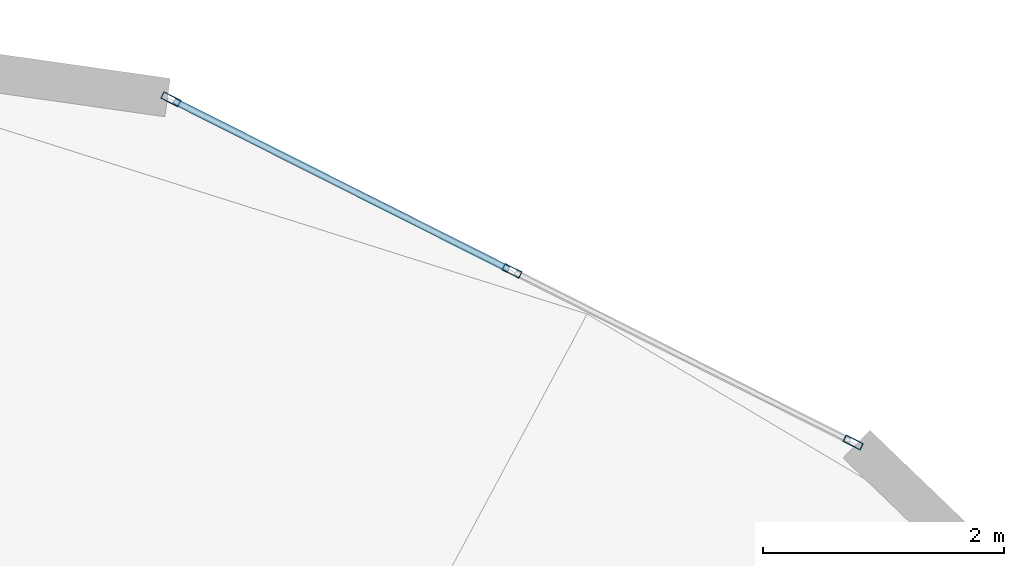
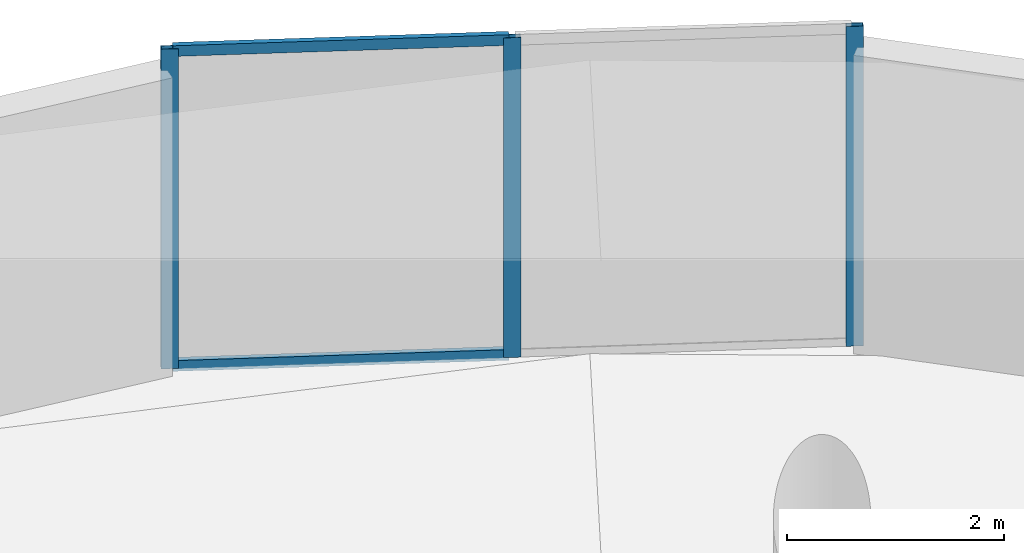
# One storey, part 13 of 19: 5 members, 1 element without a shape of its own.
"""IFC4 building model written with IfcOpenShell, lengths in metres."""

from ifc_helpers import new_model, si_unit, direction, frame, origin, origin_2d, place, context, subcontext, project, spatial, hollow_rectangle, extrude, source, transform, mapped, material, layer, layer_set, material_profile, profile_set, type_object, element, aggregate, save


model = new_model("IFC4")

# Units and contexts
model_context = context("Model", 3, precision=1e-05, world=origin(), true_north=direction((0.0, 1.0)))
body_context = subcontext(model_context, "Body", "Model", "MODEL_VIEW")
ifc_project = project(units=[si_unit("LENGTHUNIT", "METRE"), si_unit("AREAUNIT", "SQUARE_METRE"), si_unit("VOLUMEUNIT", "CUBIC_METRE"), si_unit("PLANEANGLEUNIT", "RADIAN"), si_unit("MASSUNIT", "GRAM", prefix="KILO")], contexts=[model_context])

# Site, building, storey
site_placement = place(None, origin())
site = spatial("IfcSite", under=ifc_project, at=site_placement, CompositionType="ELEMENT")
building_placement = place(site_placement, origin())
building = spatial("IfcBuilding", under=site, at=building_placement, Name="Solvirekh Grand Hotel", CompositionType="ELEMENT")
storey_placement = place(building_placement, frame((0.0, 0.0, 212.800048828125)))
storey = spatial("IfcBuildingStorey", under=building, at=storey_placement, Name="L55", CompositionType="ELEMENT", Elevation=212.800048828125)

# Curtain wall, members
ifc_material = material(Name="Anodized Bronze Aluminium 6063-T6", Category="aluminium")
ifc_layer = layer(ifc_material, 0.159912109375)
ifc_layer_set = layer_set([ifc_layer], Name="Anodized Bronze Aluminium 6063-T6")
curtain_wall_type = type_object("IfcCurtainWallType", Name="CW_Sys4_HighZoneFlushBronzeCW", PredefinedType="NOTDEFINED", material=ifc_layer_set)
curtain_wall_placement = place(storey_placement, origin())
curtain_wall = element("IfcCurtainWall", 1, at=curtain_wall_placement, inside=storey, type_object=curtain_wall_type, Name="L55 unitised bronze-glass curtain wall CW-L55-C08", PredefinedType="NOTDEFINED")
ifc_material_profile_1 = material_profile(ifc_material, hollow_rectangle(XDim=0.054931640625, YDim=0.1201171875, WallThickness=0.00390625, at=origin_2d()), Name="ALU RHS 120X55X4")
ifc_profile_set_1 = profile_set([ifc_material_profile_1], Name="Anodized Bronze Aluminium 6063-T6")
member_type_1 = type_object("IfcMemberType", Name="CWTransom_Sys4", PredefinedType="USERDEFINED", material=ifc_profile_set_1)
shared_shape_1 = source(origin(), body_context, "Body", "SweptSolid", [
    extrude(hollow_rectangle(XDim=0.054931640625, YDim=0.1201171875, WallThickness=0.00390625, at=origin_2d()), origin(), (0.0, 0.0, 1.0), 3.1044921875),
])
member_1_placement = place(storey_placement, frame((7.68310546875, 19.0869140625, 0.02734375), z_axis=(-0.893355123613, 0.449351335944, 0.0), x_axis=(-0.449351335944, -0.893355123613, 0.0)))
member_1 = element("IfcMember", 2, at=member_1_placement, type_object=member_type_1, Name="U04 transom 2.1", ObjectType="TRANSOM", PredefinedType="USERDEFINED", context=body_context, shape_type="MappedRepresentation", body=[
    mapped(shared_shape_1, transform((0.0, 0.0, 0.0), x_axis=(1.0, 0.0, 0.0), y_axis=(0.0, 1.0, 0.0), z_axis=(0.0, 0.0, 1.0), scale=1.0)),
])
member_2_placement = place(storey_placement, frame((7.68310546875, 19.0869140625, 3.572509765625), z_axis=(-0.893355123613, 0.449351335944, 0.0), x_axis=(-0.449351335944, -0.893355123613, 0.0)))
member_2 = element("IfcMember", 3, at=member_2_placement, type_object=member_type_1, Name="U04 transom 2.2", ObjectType="TRANSOM", PredefinedType="USERDEFINED", context=body_context, shape_type="MappedRepresentation", body=[
    mapped(shared_shape_1, transform((0.0, 0.0, 0.0), x_axis=(1.0, 0.0, 0.0), y_axis=(0.0, 1.0, 0.0), z_axis=(0.0, 0.0, 1.0), scale=1.0)),
])
ifc_material_profile_2 = material_profile(ifc_material, hollow_rectangle(XDim=0.06005859375, YDim=0.159912109375, WallThickness=0.0048828125, at=origin_2d()), Name="ALU RHS 160X60X5")
ifc_profile_set_2 = profile_set([ifc_material_profile_2], Name="Anodized Bronze Aluminium 6063-T6")
member_type_2 = type_object("IfcMemberType", Name="CWMullion_Sys4", PredefinedType="MULLION", material=ifc_profile_set_2)
shared_shape_2 = source(origin(), body_context, "Body", "SweptSolid", [
    extrude(hollow_rectangle(XDim=0.06005859375, YDim=0.159912109375, WallThickness=0.0048828125, at=origin_2d()), origin(), (0.0, 0.0, 1.0), 3.599853515625),
])
member_3_placement = place(storey_placement, frame((10.537109375, 17.6513671875, 0.0), z_axis=(0.0, 0.0, 1.0), x_axis=(-0.449340868249, -0.893360388713, 0.0)))
member_3 = element("IfcMember", 4, at=member_3_placement, type_object=member_type_2, Name="U04 mullion 1", PredefinedType="MULLION", context=body_context, shape_type="MappedRepresentation", body=[
    mapped(shared_shape_2, transform((0.0, 0.0, 0.0), x_axis=(1.0, 0.0, 0.0), y_axis=(0.0, 1.0, 0.0), z_axis=(0.0, 0.0, 1.0), scale=1.0)),
])
member_4_placement = place(storey_placement, frame((7.7099609375, 19.073486328125, 0.0), z_axis=(0.0, 0.0, 1.0), x_axis=(-0.449340868249, -0.893360388713, 0.0)))
member_4 = element("IfcMember", 5, at=member_4_placement, type_object=member_type_2, Name="U04 mullion 2", PredefinedType="MULLION", context=body_context, shape_type="MappedRepresentation", body=[
    mapped(shared_shape_2, transform((0.0, 0.0, 0.0), x_axis=(1.0, 0.0, 0.0), y_axis=(0.0, 1.0, 0.0), z_axis=(0.0, 0.0, 1.0), scale=1.0)),
])
member_5_placement = place(storey_placement, frame((4.8828125, 20.49560546875, 0.0), z_axis=(0.0, 0.0, 1.0), x_axis=(-0.449340868249, -0.893360388713, 0.0)))
member_5 = element("IfcMember", 6, at=member_5_placement, type_object=member_type_2, Name="U04 mullion 3", PredefinedType="MULLION", context=body_context, shape_type="MappedRepresentation", body=[
    mapped(shared_shape_2, transform((0.0, 0.0, 0.0), x_axis=(1.0, 0.0, 0.0), y_axis=(0.0, 1.0, 0.0), z_axis=(0.0, 0.0, 1.0), scale=1.0)),
])
aggregate(curtain_wall, [member_3, member_4, member_5, member_1, member_2])

save(model, "model.ifc")
